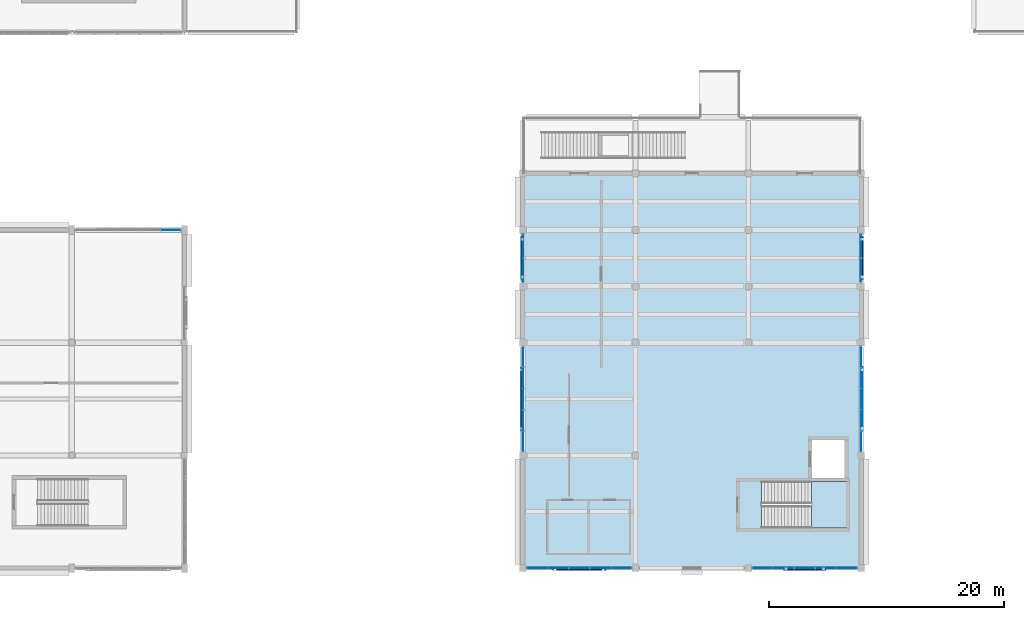
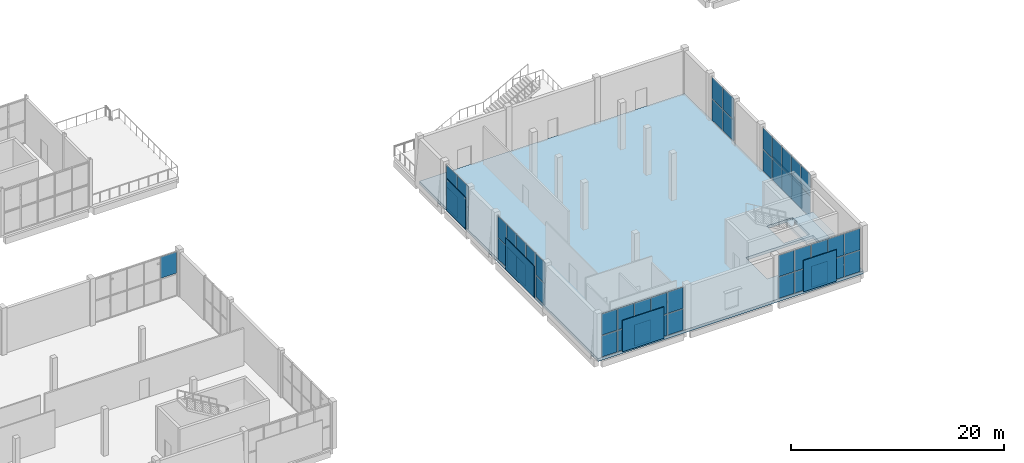
# One storey, part 45 of 83: 55 plates, 2 slabs, 8 elements without a shape of their own.
"""IFC4 building model written with IfcOpenShell, lengths in metres."""

from ifc_helpers import new_model, si_unit, direction, frame, origin, origin_2d, place, context, subcontext, project, spatial, polyline, rectangle, outline, extrude, material, layer, layer_set, type_object, element, aggregate, save


model = new_model("IFC4")

# Units and contexts
model_context = context("Model", 3, precision=1e-05, world=origin(), true_north=direction((0.0, 1.0)))
body_context = subcontext(model_context, "Body", "Model", "MODEL_VIEW")
ifc_project = project(units=[si_unit("LENGTHUNIT", "METRE"), si_unit("AREAUNIT", "SQUARE_METRE"), si_unit("VOLUMEUNIT", "CUBIC_METRE"), si_unit("PLANEANGLEUNIT", "RADIAN"), si_unit("MASSUNIT", "GRAM", prefix="KILO")], contexts=[model_context])

# Site, building, storey
site_placement = place(None, origin())
site = spatial("IfcSite", under=ifc_project, at=site_placement, CompositionType="ELEMENT")
building_placement = place(site_placement, origin())
building = spatial("IfcBuilding", under=site, at=building_placement, Name="Shalvenor Court Art Gallery", CompositionType="ELEMENT")
storey_placement = place(building_placement, frame((0.0, 0.0, 6.0)))
storey = spatial("IfcBuildingStorey", under=building, at=storey_placement, Name="L01", CompositionType="ELEMENT", Elevation=6.0)

# Curtain wall, plate
ifc_material_1 = material(Name="Anodised aluminium and low-iron glass curtain wall", Category="aluminium")
curtain_wall_type_1 = type_object("IfcCurtainWallType", Name="CW-5x2-91-51-641", PredefinedType="USERDEFINED", material=ifc_material_1)
curtain_wall_1_placement = place(storey_placement, origin())
curtain_wall_1 = element("IfcCurtainWall", 1, at=curtain_wall_1_placement, inside=storey, type_object=curtain_wall_type_1, Name="L01 V4 Curtain Wall CW-L01-131", ObjectType="CURTAIN WALL", PredefinedType="USERDEFINED")
ifc_material_2 = material(Name="Low-iron UV-laminated double glazing IGU", Category="glass")
ifc_layer_1 = layer(ifc_material_2, 0.028076171875, Name="Low-iron UV-laminated double glazing IGU")
ifc_layer_set_1 = layer_set([ifc_layer_1], Name="Low-iron UV-laminated double glazing IGU")
plate_type_1 = type_object("IfcPlateType", Name="CWP-01", PredefinedType="CURTAIN_PANEL", material=ifc_layer_set_1)
plate_1_placement = place(storey_placement, frame((66.0263671875, 28.800048828125, 2.574951171875), z_axis=(0.0, 0.0, 1.0), x_axis=(1.0, 0.0, 0.0)))
plate_1 = element("IfcPlate", 2, at=plate_1_placement, type_object=plate_type_1, Name="CW-5x2-91-51-641 panel 5.2", PredefinedType="CURTAIN_PANEL", context=body_context, shape_type="SweptSolid", body=[
    extrude(rectangle(XDim=1.737548828125, YDim=0.028076171875, at=origin_2d()), origin(), (0.0, 0.0, 1.0), 2.43505859375),
])
aggregate(curtain_wall_1, [plate_1])

# Curtain wall, plates
ifc_material_3 = material(Name="Anodised aluminium and low-iron glass curtain wall", Category="aluminium")
curtain_wall_type_2 = type_object("IfcCurtainWallType", Name="CW-2x2-42-51-442", PredefinedType="USERDEFINED", material=ifc_material_3)
curtain_wall_2_placement = place(storey_placement, origin())
curtain_wall_2 = element("IfcCurtainWall", 3, at=curtain_wall_2_placement, inside=storey, type_object=curtain_wall_type_2, Name="L01 V3 Curtain Wall CW-L01-098", ObjectType="CURTAIN WALL", PredefinedType="USERDEFINED")
ifc_material_4 = material(Name="Low-iron triple-silver solar gallery glazing IGU", Category="glass")
ifc_layer_2 = layer(ifc_material_4, 0.031982421875, Name="Low-iron triple-silver solar gallery glazing IGU")
ifc_layer_set_2 = layer_set([ifc_layer_2], Name="Low-iron triple-silver solar gallery glazing IGU")
plate_type_2 = type_object("IfcPlateType", Name="CWP-02", PredefinedType="CURTAIN_PANEL", material=ifc_layer_set_2)
plate_2_placement = place(storey_placement, frame((124.800048828125, 27.43115234375, 0.070068359375), z_axis=(0.0, 0.0, 1.0), x_axis=(0.0, -1.0, 0.0)))
plate_2 = element("IfcPlate", 4, at=plate_2_placement, type_object=plate_type_2, Name="CW-2x2-42-51-442 panel 1.1", PredefinedType="CURTAIN_PANEL", context=body_context, shape_type="SweptSolid", body=[
    extrude(rectangle(XDim=1.987548828125, YDim=0.031982421875, at=origin_2d()), origin(), (0.0, 0.0, 1.0), 2.43505859375),
])
plate_3_placement = place(storey_placement, frame((124.800048828125, 27.43115234375, 2.574951171875), z_axis=(0.0, 0.0, 1.0), x_axis=(0.0, -1.0, 0.0)))
plate_3 = element("IfcPlate", 5, at=plate_3_placement, type_object=plate_type_2, Name="CW-2x2-42-51-442 panel 1.2", PredefinedType="CURTAIN_PANEL", context=body_context, shape_type="SweptSolid", body=[
    extrude(rectangle(XDim=1.987548828125, YDim=0.031982421875, at=origin_2d()), origin(), (0.0, 0.0, 1.0), 2.43505859375),
])
plate_4_placement = place(storey_placement, frame((124.800048828125, 25.36865234375, 0.070068359375), z_axis=(0.0, 0.0, 1.0), x_axis=(0.0, -1.0, 0.0)))
plate_4 = element("IfcPlate", 6, at=plate_4_placement, type_object=plate_type_2, Name="CW-2x2-42-51-442 panel 2.1", PredefinedType="CURTAIN_PANEL", context=body_context, shape_type="SweptSolid", body=[
    extrude(rectangle(XDim=1.987548828125, YDim=0.031982421875, at=origin_2d()), origin(), (0.0, 0.0, 1.0), 2.43505859375),
])
plate_5_placement = place(storey_placement, frame((124.800048828125, 25.36865234375, 2.574951171875), z_axis=(0.0, 0.0, 1.0), x_axis=(0.0, -1.0, 0.0)))
plate_5 = element("IfcPlate", 7, at=plate_5_placement, type_object=plate_type_2, Name="CW-2x2-42-51-442 panel 2.2", PredefinedType="CURTAIN_PANEL", context=body_context, shape_type="SweptSolid", body=[
    extrude(rectangle(XDim=1.987548828125, YDim=0.031982421875, at=origin_2d()), origin(), (0.0, 0.0, 1.0), 2.43505859375),
])
aggregate(curtain_wall_2, [plate_2, plate_3, plate_4, plate_5])

ifc_material_5 = material(Name="Anodised aluminium and low-iron glass curtain wall", Category="aluminium")
curtain_wall_type_3 = type_object("IfcCurtainWallType", Name="CW-5x2-90-51-612", PredefinedType="USERDEFINED", material=ifc_material_5)
curtain_wall_3_placement = place(storey_placement, origin())
curtain_wall_3 = element("IfcCurtainWall", 8, at=curtain_wall_3_placement, inside=storey, type_object=curtain_wall_type_3, Name="L01 V3 Curtain Wall CW-L01-099", ObjectType="CURTAIN WALL", PredefinedType="USERDEFINED")
plate_6_placement = place(storey_placement, frame((124.800048828125, 17.986328125, 0.06005859375), z_axis=(0.0, 0.0, 1.0), x_axis=(0.0, -1.0, 0.0)))
plate_6 = element("IfcPlate", 9, at=plate_6_placement, type_object=plate_type_2, Name="CW-5x2-90-51-612 panel 1.1", PredefinedType="CURTAIN_PANEL", context=body_context, shape_type="SweptSolid", body=[
    extrude(rectangle(XDim=1.717529296875, YDim=0.031982421875, at=origin_2d()), origin(), (0.0, 0.0, 1.0), 2.449951171875),
])
plate_7_placement = place(storey_placement, frame((124.800048828125, 17.986328125, 2.56982421875), z_axis=(0.0, 0.0, 1.0), x_axis=(0.0, -1.0, 0.0)))
plate_7 = element("IfcPlate", 10, at=plate_7_placement, type_object=plate_type_2, Name="CW-5x2-90-51-612 panel 1.2", PredefinedType="CURTAIN_PANEL", context=body_context, shape_type="SweptSolid", body=[
    extrude(rectangle(XDim=1.717529296875, YDim=0.031982421875, at=origin_2d()), origin(), (0.0, 0.0, 1.0), 2.449951171875),
])
plate_8_placement = place(storey_placement, frame((124.800048828125, 16.199951171875, 0.06005859375), z_axis=(0.0, 0.0, 1.0), x_axis=(0.0, -1.0, 0.0)))
plate_8 = element("IfcPlate", 11, at=plate_8_placement, type_object=plate_type_2, Name="CW-5x2-90-51-612 panel 2.1", PredefinedType="CURTAIN_PANEL", context=body_context, shape_type="SweptSolid", body=[
    extrude(rectangle(XDim=1.7451171875, YDim=0.031982421875, at=origin_2d()), origin(), (0.0, 0.0, 1.0), 2.449951171875),
])
plate_9_placement = place(storey_placement, frame((124.800048828125, 16.199951171875, 2.56982421875), z_axis=(0.0, 0.0, 1.0), x_axis=(0.0, -1.0, 0.0)))
plate_9 = element("IfcPlate", 12, at=plate_9_placement, type_object=plate_type_2, Name="CW-5x2-90-51-612 panel 2.2", PredefinedType="CURTAIN_PANEL", context=body_context, shape_type="SweptSolid", body=[
    extrude(rectangle(XDim=1.7451171875, YDim=0.031982421875, at=origin_2d()), origin(), (0.0, 0.0, 1.0), 2.449951171875),
])
plate_10_placement = place(storey_placement, frame((124.800048828125, 14.39990234375, 0.06005859375), z_axis=(0.0, 0.0, 1.0), x_axis=(0.0, -1.0, 0.0)))
plate_10 = element("IfcPlate", 13, at=plate_10_placement, type_object=plate_type_2, Name="CW-5x2-90-51-612 panel 3.1", PredefinedType="CURTAIN_PANEL", context=body_context, shape_type="SweptSolid", body=[
    extrude(rectangle(XDim=1.7451171875, YDim=0.031982421875, at=origin_2d()), origin(), (0.0, 0.0, 1.0), 2.449951171875),
])
plate_11_placement = place(storey_placement, frame((124.800048828125, 14.39990234375, 2.56982421875), z_axis=(0.0, 0.0, 1.0), x_axis=(0.0, -1.0, 0.0)))
plate_11 = element("IfcPlate", 14, at=plate_11_placement, type_object=plate_type_2, Name="CW-5x2-90-51-612 panel 3.2", PredefinedType="CURTAIN_PANEL", context=body_context, shape_type="SweptSolid", body=[
    extrude(rectangle(XDim=1.7451171875, YDim=0.031982421875, at=origin_2d()), origin(), (0.0, 0.0, 1.0), 2.449951171875),
])
plate_12_placement = place(storey_placement, frame((124.800048828125, 12.60009765625, 0.06005859375), z_axis=(0.0, 0.0, 1.0), x_axis=(0.0, -1.0, 0.0)))
plate_12 = element("IfcPlate", 15, at=plate_12_placement, type_object=plate_type_2, Name="CW-5x2-90-51-612 panel 4.1", PredefinedType="CURTAIN_PANEL", context=body_context, shape_type="SweptSolid", body=[
    extrude(rectangle(XDim=1.7451171875, YDim=0.031982421875, at=origin_2d()), origin(), (0.0, 0.0, 1.0), 2.449951171875),
])
plate_13_placement = place(storey_placement, frame((124.800048828125, 12.60009765625, 2.56982421875), z_axis=(0.0, 0.0, 1.0), x_axis=(0.0, -1.0, 0.0)))
plate_13 = element("IfcPlate", 16, at=plate_13_placement, type_object=plate_type_2, Name="CW-5x2-90-51-612 panel 4.2", PredefinedType="CURTAIN_PANEL", context=body_context, shape_type="SweptSolid", body=[
    extrude(rectangle(XDim=1.7451171875, YDim=0.031982421875, at=origin_2d()), origin(), (0.0, 0.0, 1.0), 2.449951171875),
])
plate_14_placement = place(storey_placement, frame((124.800048828125, 10.813720703125, 0.06005859375), z_axis=(0.0, 0.0, 1.0), x_axis=(0.0, -1.0, 0.0)))
plate_14 = element("IfcPlate", 17, at=plate_14_placement, type_object=plate_type_2, Name="CW-5x2-90-51-612 panel 5.1", PredefinedType="CURTAIN_PANEL", context=body_context, shape_type="SweptSolid", body=[
    extrude(rectangle(XDim=1.717529296875, YDim=0.031982421875, at=origin_2d()), origin(), (0.0, 0.0, 1.0), 2.449951171875),
])
plate_15_placement = place(storey_placement, frame((124.800048828125, 10.813720703125, 2.56982421875), z_axis=(0.0, 0.0, 1.0), x_axis=(0.0, -1.0, 0.0)))
plate_15 = element("IfcPlate", 18, at=plate_15_placement, type_object=plate_type_2, Name="CW-5x2-90-51-612 panel 5.2", PredefinedType="CURTAIN_PANEL", context=body_context, shape_type="SweptSolid", body=[
    extrude(rectangle(XDim=1.717529296875, YDim=0.031982421875, at=origin_2d()), origin(), (0.0, 0.0, 1.0), 2.449951171875),
])
aggregate(curtain_wall_3, [plate_6, plate_7, plate_8, plate_9, plate_10, plate_11, plate_12, plate_13, plate_14, plate_15])

ifc_material_6 = material(Name="Anodised aluminium and low-iron glass curtain wall", Category="aluminium")
curtain_wall_type_4 = type_object("IfcCurtainWallType", Name="CW-5x2-90-51-122", PredefinedType="USERDEFINED", material=ifc_material_6)
curtain_wall_4_placement = place(storey_placement, origin())
curtain_wall_4 = element("IfcCurtainWall", 19, at=curtain_wall_4_placement, inside=storey, type_object=curtain_wall_type_4, Name="L01 V3 Curtain Wall CW-L01-100", ObjectType="CURTAIN WALL", PredefinedType="USERDEFINED")
plate_16_placement = place(storey_placement, frame((123.583740234375, 0.0, 0.06494140625), z_axis=(0.0, 0.0, 1.0), x_axis=(-1.0, 0.0, 0.0)))
plate_16 = element("IfcPlate", 20, at=plate_16_placement, type_object=plate_type_2, Name="CW-5x2-90-51-122 panel 1.1", PredefinedType="CURTAIN_PANEL", context=body_context, shape_type="SweptSolid", body=[
    extrude(rectangle(XDim=1.702392578125, YDim=0.031982421875, at=origin_2d()), origin(), (0.0, 0.0, 1.0), 2.4423828125),
])
plate_17_placement = place(storey_placement, frame((123.583740234375, 0.0, 2.572509765625), z_axis=(0.0, 0.0, 1.0), x_axis=(-1.0, 0.0, 0.0)))
plate_17 = element("IfcPlate", 21, at=plate_17_placement, type_object=plate_type_2, Name="CW-5x2-90-51-122 panel 1.2", PredefinedType="CURTAIN_PANEL", context=body_context, shape_type="SweptSolid", body=[
    extrude(rectangle(XDim=1.702392578125, YDim=0.031982421875, at=origin_2d()), origin(), (0.0, 0.0, 1.0), 2.4423828125),
])
plate_18_placement = place(storey_placement, frame((121.800048828125, 0.0, 0.06494140625), z_axis=(0.0, 0.0, 1.0), x_axis=(-1.0, 0.0, 0.0)))
plate_18 = element("IfcPlate", 22, at=plate_18_placement, type_object=plate_type_2, Name="CW-5x2-90-51-122 panel 2.1", PredefinedType="CURTAIN_PANEL", context=body_context, shape_type="SweptSolid", body=[
    extrude(rectangle(XDim=1.735107421875, YDim=0.031982421875, at=origin_2d()), origin(), (0.0, 0.0, 1.0), 2.4423828125),
])
plate_19_placement = place(storey_placement, frame((121.800048828125, 0.0, 2.572509765625), z_axis=(0.0, 0.0, 1.0), x_axis=(-1.0, 0.0, 0.0)))
plate_19 = element("IfcPlate", 23, at=plate_19_placement, type_object=plate_type_2, Name="CW-5x2-90-51-122 panel 2.2", PredefinedType="CURTAIN_PANEL", context=body_context, shape_type="SweptSolid", body=[
    extrude(rectangle(XDim=1.735107421875, YDim=0.031982421875, at=origin_2d()), origin(), (0.0, 0.0, 1.0), 2.4423828125),
])
plate_20_placement = place(storey_placement, frame((120.0, 0.0, 0.06494140625), z_axis=(0.0, 0.0, 1.0), x_axis=(-1.0, 0.0, 0.0)))
plate_20 = element("IfcPlate", 24, at=plate_20_placement, type_object=plate_type_2, Name="CW-5x2-90-51-122 panel 3.1", PredefinedType="CURTAIN_PANEL", context=body_context, shape_type="SweptSolid", body=[
    extrude(rectangle(XDim=1.735107421875, YDim=0.031982421875, at=origin_2d()), origin(), (0.0, 0.0, 1.0), 2.4423828125),
])
plate_21_placement = place(storey_placement, frame((120.0, 0.0, 2.572509765625), z_axis=(0.0, 0.0, 1.0), x_axis=(-1.0, 0.0, 0.0)))
plate_21 = element("IfcPlate", 25, at=plate_21_placement, type_object=plate_type_2, Name="CW-5x2-90-51-122 panel 3.2", PredefinedType="CURTAIN_PANEL", context=body_context, shape_type="SweptSolid", body=[
    extrude(rectangle(XDim=1.735107421875, YDim=0.031982421875, at=origin_2d()), origin(), (0.0, 0.0, 1.0), 2.4423828125),
])
plate_22_placement = place(storey_placement, frame((118.199951171875, 0.0, 0.06494140625), z_axis=(0.0, 0.0, 1.0), x_axis=(-1.0, 0.0, 0.0)))
plate_22 = element("IfcPlate", 26, at=plate_22_placement, type_object=plate_type_2, Name="CW-5x2-90-51-122 panel 4.1", PredefinedType="CURTAIN_PANEL", context=body_context, shape_type="SweptSolid", body=[
    extrude(rectangle(XDim=1.735107421875, YDim=0.031982421875, at=origin_2d()), origin(), (0.0, 0.0, 1.0), 2.4423828125),
])
plate_23_placement = place(storey_placement, frame((118.199951171875, 0.0, 2.572509765625), z_axis=(0.0, 0.0, 1.0), x_axis=(-1.0, 0.0, 0.0)))
plate_23 = element("IfcPlate", 27, at=plate_23_placement, type_object=plate_type_2, Name="CW-5x2-90-51-122 panel 4.2", PredefinedType="CURTAIN_PANEL", context=body_context, shape_type="SweptSolid", body=[
    extrude(rectangle(XDim=1.735107421875, YDim=0.031982421875, at=origin_2d()), origin(), (0.0, 0.0, 1.0), 2.4423828125),
])
plate_24_placement = place(storey_placement, frame((116.416259765625, 0.0, 0.06494140625), z_axis=(0.0, 0.0, 1.0), x_axis=(-1.0, 0.0, 0.0)))
plate_24 = element("IfcPlate", 28, at=plate_24_placement, type_object=plate_type_2, Name="CW-5x2-90-51-122 panel 5.1", PredefinedType="CURTAIN_PANEL", context=body_context, shape_type="SweptSolid", body=[
    extrude(rectangle(XDim=1.702392578125, YDim=0.031982421875, at=origin_2d()), origin(), (0.0, 0.0, 1.0), 2.4423828125),
])
plate_25_placement = place(storey_placement, frame((116.416259765625, 0.0, 2.572509765625), z_axis=(0.0, 0.0, 1.0), x_axis=(-1.0, 0.0, 0.0)))
plate_25 = element("IfcPlate", 29, at=plate_25_placement, type_object=plate_type_2, Name="CW-5x2-90-51-122 panel 5.2", PredefinedType="CURTAIN_PANEL", context=body_context, shape_type="SweptSolid", body=[
    extrude(rectangle(XDim=1.702392578125, YDim=0.031982421875, at=origin_2d()), origin(), (0.0, 0.0, 1.0), 2.4423828125),
])
aggregate(curtain_wall_4, [plate_16, plate_17, plate_18, plate_19, plate_20, plate_21, plate_22, plate_23, plate_24, plate_25])

ifc_material_7 = material(Name="Anodised aluminium and low-iron glass curtain wall", Category="aluminium")
curtain_wall_type_5 = type_object("IfcCurtainWallType", Name="CW-5x2-90-51-242", PredefinedType="USERDEFINED", material=ifc_material_7)
curtain_wall_5_placement = place(storey_placement, origin())
curtain_wall_5 = element("IfcCurtainWall", 30, at=curtain_wall_5_placement, inside=storey, type_object=curtain_wall_type_5, Name="L01 V3 Curtain Wall CW-L01-101", ObjectType="CURTAIN WALL", PredefinedType="USERDEFINED")
plate_26_placement = place(storey_placement, frame((104.382568359375, 0.0, 0.070068359375), z_axis=(0.0, 0.0, 1.0), x_axis=(-1.0, 0.0, 0.0)))
plate_26 = element("IfcPlate", 31, at=plate_26_placement, type_object=plate_type_2, Name="CW-5x2-90-51-242 panel 1.1", PredefinedType="CURTAIN_PANEL", context=body_context, shape_type="SweptSolid", body=[
    extrude(rectangle(XDim=1.695068359375, YDim=0.031982421875, at=origin_2d()), origin(), (0.0, 0.0, 1.0), 2.43505859375),
])
plate_27_placement = place(storey_placement, frame((104.382568359375, 0.0, 2.574951171875), z_axis=(0.0, 0.0, 1.0), x_axis=(-1.0, 0.0, 0.0)))
plate_27 = element("IfcPlate", 32, at=plate_27_placement, type_object=plate_type_2, Name="CW-5x2-90-51-242 panel 1.2", PredefinedType="CURTAIN_PANEL", context=body_context, shape_type="SweptSolid", body=[
    extrude(rectangle(XDim=1.695068359375, YDim=0.031982421875, at=origin_2d()), origin(), (0.0, 0.0, 1.0), 2.43505859375),
])
plate_28_placement = place(storey_placement, frame((102.60009765625, 0.0, 0.070068359375), z_axis=(0.0, 0.0, 1.0), x_axis=(-1.0, 0.0, 0.0)))
plate_28 = element("IfcPlate", 33, at=plate_28_placement, type_object=plate_type_2, Name="CW-5x2-90-51-242 panel 2.1", PredefinedType="CURTAIN_PANEL", context=body_context, shape_type="SweptSolid", body=[
    extrude(rectangle(XDim=1.72998046875, YDim=0.031982421875, at=origin_2d()), origin(), (0.0, 0.0, 1.0), 2.43505859375),
])
plate_29_placement = place(storey_placement, frame((102.60009765625, 0.0, 2.574951171875), z_axis=(0.0, 0.0, 1.0), x_axis=(-1.0, 0.0, 0.0)))
plate_29 = element("IfcPlate", 34, at=plate_29_placement, type_object=plate_type_2, Name="CW-5x2-90-51-242 panel 2.2", PredefinedType="CURTAIN_PANEL", context=body_context, shape_type="SweptSolid", body=[
    extrude(rectangle(XDim=1.72998046875, YDim=0.031982421875, at=origin_2d()), origin(), (0.0, 0.0, 1.0), 2.43505859375),
])
plate_30_placement = place(storey_placement, frame((100.800048828125, 0.0, 0.070068359375), z_axis=(0.0, 0.0, 1.0), x_axis=(-1.0, 0.0, 0.0)))
plate_30 = element("IfcPlate", 35, at=plate_30_placement, type_object=plate_type_2, Name="CW-5x2-90-51-242 panel 3.1", PredefinedType="CURTAIN_PANEL", context=body_context, shape_type="SweptSolid", body=[
    extrude(rectangle(XDim=1.72998046875, YDim=0.031982421875, at=origin_2d()), origin(), (0.0, 0.0, 1.0), 2.43505859375),
])
plate_31_placement = place(storey_placement, frame((100.800048828125, 0.0, 2.574951171875), z_axis=(0.0, 0.0, 1.0), x_axis=(-1.0, 0.0, 0.0)))
plate_31 = element("IfcPlate", 36, at=plate_31_placement, type_object=plate_type_2, Name="CW-5x2-90-51-242 panel 3.2", PredefinedType="CURTAIN_PANEL", context=body_context, shape_type="SweptSolid", body=[
    extrude(rectangle(XDim=1.72998046875, YDim=0.031982421875, at=origin_2d()), origin(), (0.0, 0.0, 1.0), 2.43505859375),
])
plate_32_placement = place(storey_placement, frame((99.0, 0.0, 0.070068359375), z_axis=(0.0, 0.0, 1.0), x_axis=(-1.0, 0.0, 0.0)))
plate_32 = element("IfcPlate", 37, at=plate_32_placement, type_object=plate_type_2, Name="CW-5x2-90-51-242 panel 4.1", PredefinedType="CURTAIN_PANEL", context=body_context, shape_type="SweptSolid", body=[
    extrude(rectangle(XDim=1.72998046875, YDim=0.031982421875, at=origin_2d()), origin(), (0.0, 0.0, 1.0), 2.43505859375),
])
plate_33_placement = place(storey_placement, frame((99.0, 0.0, 2.574951171875), z_axis=(0.0, 0.0, 1.0), x_axis=(-1.0, 0.0, 0.0)))
plate_33 = element("IfcPlate", 38, at=plate_33_placement, type_object=plate_type_2, Name="CW-5x2-90-51-242 panel 4.2", PredefinedType="CURTAIN_PANEL", context=body_context, shape_type="SweptSolid", body=[
    extrude(rectangle(XDim=1.72998046875, YDim=0.031982421875, at=origin_2d()), origin(), (0.0, 0.0, 1.0), 2.43505859375),
])
plate_34_placement = place(storey_placement, frame((97.217529296875, 0.0, 0.070068359375), z_axis=(0.0, 0.0, 1.0), x_axis=(-1.0, 0.0, 0.0)))
plate_34 = element("IfcPlate", 39, at=plate_34_placement, type_object=plate_type_2, Name="CW-5x2-90-51-242 panel 5.1", PredefinedType="CURTAIN_PANEL", context=body_context, shape_type="SweptSolid", body=[
    extrude(rectangle(XDim=1.695068359375, YDim=0.031982421875, at=origin_2d()), origin(), (0.0, 0.0, 1.0), 2.43505859375),
])
plate_35_placement = place(storey_placement, frame((97.217529296875, 0.0, 2.574951171875), z_axis=(0.0, 0.0, 1.0), x_axis=(-1.0, 0.0, 0.0)))
plate_35 = element("IfcPlate", 40, at=plate_35_placement, type_object=plate_type_2, Name="CW-5x2-90-51-242 panel 5.2", PredefinedType="CURTAIN_PANEL", context=body_context, shape_type="SweptSolid", body=[
    extrude(rectangle(XDim=1.695068359375, YDim=0.031982421875, at=origin_2d()), origin(), (0.0, 0.0, 1.0), 2.43505859375),
])
aggregate(curtain_wall_5, [plate_26, plate_27, plate_28, plate_29, plate_30, plate_31, plate_32, plate_33, plate_34, plate_35])

ifc_material_8 = material(Name="Anodised aluminium and low-iron glass curtain wall", Category="aluminium")
curtain_wall_type_6 = type_object("IfcCurtainWallType", Name="CW-5x2-90-51-412", PredefinedType="USERDEFINED", material=ifc_material_8)
curtain_wall_6_placement = place(storey_placement, origin())
curtain_wall_6 = element("IfcCurtainWall", 41, at=curtain_wall_6_placement, inside=storey, type_object=curtain_wall_type_6, Name="L01 V3 Curtain Wall CW-L01-102", ObjectType="CURTAIN WALL", PredefinedType="USERDEFINED")
plate_36_placement = place(storey_placement, frame((96.0, 10.81884765625, 0.06005859375), z_axis=(0.0, 0.0, 1.0), x_axis=(0.0, 1.0, 0.0)))
plate_36 = element("IfcPlate", 42, at=plate_36_placement, type_object=plate_type_2, Name="CW-5x2-90-51-412 panel 1.1", PredefinedType="CURTAIN_PANEL", context=body_context, shape_type="SweptSolid", body=[
    extrude(rectangle(XDim=1.6875, YDim=0.031982421875, at=origin_2d()), origin(), (0.0, 0.0, 1.0), 2.449951171875),
])
plate_37_placement = place(storey_placement, frame((96.0, 10.81884765625, 2.56982421875), z_axis=(0.0, 0.0, 1.0), x_axis=(0.0, 1.0, 0.0)))
plate_37 = element("IfcPlate", 43, at=plate_37_placement, type_object=plate_type_2, Name="CW-5x2-90-51-412 panel 1.2", PredefinedType="CURTAIN_PANEL", context=body_context, shape_type="SweptSolid", body=[
    extrude(rectangle(XDim=1.6875, YDim=0.031982421875, at=origin_2d()), origin(), (0.0, 0.0, 1.0), 2.449951171875),
])
plate_38_placement = place(storey_placement, frame((96.0, 12.60009765625, 0.06005859375), z_axis=(0.0, 0.0, 1.0), x_axis=(0.0, 1.0, 0.0)))
plate_38 = element("IfcPlate", 44, at=plate_38_placement, type_object=plate_type_2, Name="CW-5x2-90-51-412 panel 2.1", PredefinedType="CURTAIN_PANEL", context=body_context, shape_type="SweptSolid", body=[
    extrude(rectangle(XDim=1.72509765625, YDim=0.031982421875, at=origin_2d()), origin(), (0.0, 0.0, 1.0), 2.449951171875),
])
plate_39_placement = place(storey_placement, frame((96.0, 12.60009765625, 2.56982421875), z_axis=(0.0, 0.0, 1.0), x_axis=(0.0, 1.0, 0.0)))
plate_39 = element("IfcPlate", 45, at=plate_39_placement, type_object=plate_type_2, Name="CW-5x2-90-51-412 panel 2.2", PredefinedType="CURTAIN_PANEL", context=body_context, shape_type="SweptSolid", body=[
    extrude(rectangle(XDim=1.72509765625, YDim=0.031982421875, at=origin_2d()), origin(), (0.0, 0.0, 1.0), 2.449951171875),
])
plate_40_placement = place(storey_placement, frame((96.0, 14.39990234375, 0.06005859375), z_axis=(0.0, 0.0, 1.0), x_axis=(0.0, 1.0, 0.0)))
plate_40 = element("IfcPlate", 46, at=plate_40_placement, type_object=plate_type_2, Name="CW-5x2-90-51-412 panel 3.1", PredefinedType="CURTAIN_PANEL", context=body_context, shape_type="SweptSolid", body=[
    extrude(rectangle(XDim=1.72509765625, YDim=0.031982421875, at=origin_2d()), origin(), (0.0, 0.0, 1.0), 2.449951171875),
])
plate_41_placement = place(storey_placement, frame((96.0, 14.39990234375, 2.56982421875), z_axis=(0.0, 0.0, 1.0), x_axis=(0.0, 1.0, 0.0)))
plate_41 = element("IfcPlate", 47, at=plate_41_placement, type_object=plate_type_2, Name="CW-5x2-90-51-412 panel 3.2", PredefinedType="CURTAIN_PANEL", context=body_context, shape_type="SweptSolid", body=[
    extrude(rectangle(XDim=1.72509765625, YDim=0.031982421875, at=origin_2d()), origin(), (0.0, 0.0, 1.0), 2.449951171875),
])
plate_42_placement = place(storey_placement, frame((96.0, 16.199951171875, 0.06005859375), z_axis=(0.0, 0.0, 1.0), x_axis=(0.0, 1.0, 0.0)))
plate_42 = element("IfcPlate", 48, at=plate_42_placement, type_object=plate_type_2, Name="CW-5x2-90-51-412 panel 4.1", PredefinedType="CURTAIN_PANEL", context=body_context, shape_type="SweptSolid", body=[
    extrude(rectangle(XDim=1.72509765625, YDim=0.031982421875, at=origin_2d()), origin(), (0.0, 0.0, 1.0), 2.449951171875),
])
plate_43_placement = place(storey_placement, frame((96.0, 16.199951171875, 2.56982421875), z_axis=(0.0, 0.0, 1.0), x_axis=(0.0, 1.0, 0.0)))
plate_43 = element("IfcPlate", 49, at=plate_43_placement, type_object=plate_type_2, Name="CW-5x2-90-51-412 panel 4.2", PredefinedType="CURTAIN_PANEL", context=body_context, shape_type="SweptSolid", body=[
    extrude(rectangle(XDim=1.72509765625, YDim=0.031982421875, at=origin_2d()), origin(), (0.0, 0.0, 1.0), 2.449951171875),
])
plate_44_placement = place(storey_placement, frame((96.0, 17.981201171875, 0.06005859375), z_axis=(0.0, 0.0, 1.0), x_axis=(0.0, 1.0, 0.0)))
plate_44 = element("IfcPlate", 50, at=plate_44_placement, type_object=plate_type_2, Name="CW-5x2-90-51-412 panel 5.1", PredefinedType="CURTAIN_PANEL", context=body_context, shape_type="SweptSolid", body=[
    extrude(rectangle(XDim=1.6875, YDim=0.031982421875, at=origin_2d()), origin(), (0.0, 0.0, 1.0), 2.449951171875),
])
plate_45_placement = place(storey_placement, frame((96.0, 17.981201171875, 2.56982421875), z_axis=(0.0, 0.0, 1.0), x_axis=(0.0, 1.0, 0.0)))
plate_45 = element("IfcPlate", 51, at=plate_45_placement, type_object=plate_type_2, Name="CW-5x2-90-51-412 panel 5.2", PredefinedType="CURTAIN_PANEL", context=body_context, shape_type="SweptSolid", body=[
    extrude(rectangle(XDim=1.6875, YDim=0.031982421875, at=origin_2d()), origin(), (0.0, 0.0, 1.0), 2.449951171875),
])
aggregate(curtain_wall_6, [plate_36, plate_37, plate_38, plate_39, plate_40, plate_41, plate_42, plate_43, plate_44, plate_45])

ifc_material_9 = material(Name="Anodised aluminium and low-iron glass curtain wall", Category="aluminium")
curtain_wall_type_7 = type_object("IfcCurtainWallType", Name="CW-2x2-42-51-622", PredefinedType="USERDEFINED", material=ifc_material_9)
curtain_wall_7_placement = place(storey_placement, origin())
curtain_wall_7 = element("IfcCurtainWall", 52, at=curtain_wall_7_placement, inside=storey, type_object=curtain_wall_type_7, Name="L01 V3 Curtain Wall CW-L01-103", ObjectType="CURTAIN WALL", PredefinedType="USERDEFINED")
plate_46_placement = place(storey_placement, frame((96.0, 25.36376953125, 0.06494140625), z_axis=(0.0, 0.0, 1.0), x_axis=(0.0, 1.0, 0.0)))
plate_46 = element("IfcPlate", 53, at=plate_46_placement, type_object=plate_type_2, Name="CW-2x2-42-51-622 panel 1.1", PredefinedType="CURTAIN_PANEL", context=body_context, shape_type="SweptSolid", body=[
    extrude(rectangle(XDim=2.017578125, YDim=0.031982421875, at=origin_2d()), origin(), (0.0, 0.0, 1.0), 2.4423828125),
])
plate_47_placement = place(storey_placement, frame((96.0, 25.36376953125, 2.572509765625), z_axis=(0.0, 0.0, 1.0), x_axis=(0.0, 1.0, 0.0)))
plate_47 = element("IfcPlate", 54, at=plate_47_placement, type_object=plate_type_2, Name="CW-2x2-42-51-622 panel 1.2", PredefinedType="CURTAIN_PANEL", context=body_context, shape_type="SweptSolid", body=[
    extrude(rectangle(XDim=2.017578125, YDim=0.031982421875, at=origin_2d()), origin(), (0.0, 0.0, 1.0), 2.4423828125),
])
plate_48_placement = place(storey_placement, frame((96.0, 27.436279296875, 0.06494140625), z_axis=(0.0, 0.0, 1.0), x_axis=(0.0, 1.0, 0.0)))
plate_48 = element("IfcPlate", 55, at=plate_48_placement, type_object=plate_type_2, Name="CW-2x2-42-51-622 panel 2.1", PredefinedType="CURTAIN_PANEL", context=body_context, shape_type="SweptSolid", body=[
    extrude(rectangle(XDim=2.017578125, YDim=0.031982421875, at=origin_2d()), origin(), (0.0, 0.0, 1.0), 2.4423828125),
])
plate_49_placement = place(storey_placement, frame((96.0, 27.436279296875, 2.572509765625), z_axis=(0.0, 0.0, 1.0), x_axis=(0.0, 1.0, 0.0)))
plate_49 = element("IfcPlate", 56, at=plate_49_placement, type_object=plate_type_2, Name="CW-2x2-42-51-622 panel 2.2", PredefinedType="CURTAIN_PANEL", context=body_context, shape_type="SweptSolid", body=[
    extrude(rectangle(XDim=2.017578125, YDim=0.031982421875, at=origin_2d()), origin(), (0.0, 0.0, 1.0), 2.4423828125),
])
aggregate(curtain_wall_7, [plate_46, plate_47, plate_48, plate_49])

# Slab
ifc_material_10 = material(Name="Concrete C40/50", Category="concrete")
ifc_layer_3 = layer(ifc_material_10, 0.320068359375, Name="Concrete C40/50")
ifc_layer_set_3 = layer_set([ifc_layer_3], Name="Concrete C40/50")
slab_type_1 = type_object("IfcSlabType", Name="FS-320", PredefinedType="FLOOR", material=ifc_layer_set_3)
slab_1_placement = place(storey_placement, frame((0.0, 0.0, -0.320068359375)))
element("IfcSlab", 57, at=slab_1_placement, inside=storey, type_object=slab_type_1, Name="L01 V3 Floor Slab 1", PredefinedType="FLOOR", context=body_context, shape_type="SweptSolid", body=[
    extrude(outline(polyline([(124.800048828125, 33.60009765625), (124.800048828125, 0.0), (96.0, 0.0), (96.0, 33.60009765625), (124.800048828125, 33.60009765625)]), holes=[polyline([(116.31103515625, 3.39990234375), (123.60009765625, 3.39990234375), (123.60009765625, 7.39990234375), (116.31103515625, 7.39990234375), (116.31103515625, 3.39990234375)]), polyline([(120.60009765625, 10.89990234375), (120.60009765625, 7.672119140625), (123.39990234375, 7.672119140625), (123.39990234375, 10.89990234375), (120.60009765625, 10.89990234375)])]), origin(), (0.0, 0.0, 1.0), 0.320068359375),
])

# Plates
ifc_material_11 = material(Name="Perforated pale limestone GRC lattice", Category="masonry")
ifc_layer_4 = layer(ifc_material_11, 0.090087890625, Name="Perforated pale limestone GRC lattice")
ifc_layer_set_4 = layer_set([ifc_layer_4], Name="Perforated pale limestone GRC lattice")
plate_type_3 = type_object("IfcPlateType", Name="SCR-01", PredefinedType="USERDEFINED", material=ifc_layer_set_4)
for number, where, z_axis, x_axis, name in (
    (58, (120.0, -0.133056640625, 0.0), (0.0, 0.0, 1.0), (-1.0, 0.0, 0.0), "L01 V3 Perforated Stone Lattice Screen PLT-SCR-0085"),
    (59, (95.886962890625, 26.39990234375, 0.0), (0.0, 0.0, 1.0), (0.0, 1.0, 0.0), "L01 V3 Perforated Stone Lattice Screen PLT-SCR-0088"),
):
    element("IfcPlate", number, at=place(storey_placement, frame(where, z_axis=z_axis, x_axis=x_axis)), inside=storey, type_object=plate_type_3, Name=name, ObjectType="SCREEN", PredefinedType="USERDEFINED", context=body_context, shape_type="SweptSolid", body=[
        extrude(rectangle(XDim=3.60009765625, YDim=0.090087890625, at=origin_2d()), origin(), (0.0, 0.0, 1.0), 3.60009765625),
    ])
ifc_material_12 = material(Name="Perforated pale limestone GRC lattice", Category="masonry")
ifc_layer_5 = layer(ifc_material_12, 0.090087890625, Name="Perforated pale limestone GRC lattice")
ifc_layer_set_5 = layer_set([ifc_layer_5], Name="Perforated pale limestone GRC lattice")
plate_type_4 = type_object("IfcPlateType", Name="SCR-02", PredefinedType="USERDEFINED", material=ifc_layer_set_5)
plate_50_placement = place(storey_placement, frame((100.800048828125, -0.14306640625, 0.0), z_axis=(0.0, 0.0, 1.0), x_axis=(-1.0, 0.0, 0.0)))
element("IfcPlate", 60, at=plate_50_placement, inside=storey, type_object=plate_type_4, Name="L01 V3 Perforated Stone Lattice Screen PLT-SCR-0086", ObjectType="SCREEN", PredefinedType="USERDEFINED", context=body_context, shape_type="SweptSolid", body=[
    extrude(rectangle(XDim=4.5, YDim=0.090087890625, at=origin_2d()), origin(), (0.0, 0.0, 1.0), 3.60009765625),
])
ifc_material_13 = material(Name="Perforated pale limestone GRC lattice", Category="masonry")
ifc_layer_6 = layer(ifc_material_13, 0.090087890625, Name="Perforated pale limestone GRC lattice")
ifc_layer_set_6 = layer_set([ifc_layer_6], Name="Perforated pale limestone GRC lattice")
plate_type_5 = type_object("IfcPlateType", Name="SCR-03", PredefinedType="USERDEFINED", material=ifc_layer_set_6)
plate_51_placement = place(storey_placement, frame((95.846923828125, 14.39990234375, 0.0), z_axis=(0.0, 0.0, 1.0), x_axis=(0.0, 1.0, 0.0)))
element("IfcPlate", 61, at=plate_51_placement, inside=storey, type_object=plate_type_5, Name="L01 V3 Perforated Stone Lattice Screen PLT-SCR-0087", ObjectType="SCREEN", PredefinedType="USERDEFINED", context=body_context, shape_type="SweptSolid", body=[
    extrude(rectangle(XDim=5.39990234375, YDim=0.090087890625, at=origin_2d()), origin(), (0.0, 0.0, 1.0), 3.60009765625),
])
ifc_material_14 = material(Name="Perforated pale limestone GRC lattice", Category="masonry")
ifc_layer_7 = layer(ifc_material_14, 0.090087890625, Name="Perforated pale limestone GRC lattice")
ifc_layer_set_7 = layer_set([ifc_layer_7], Name="Perforated pale limestone GRC lattice")
plate_type_6 = type_object("IfcPlateType", Name="SCR-10", PredefinedType="USERDEFINED", material=ifc_layer_set_7)
plate_52_placement = place(storey_placement, frame((124.952880859375, 26.39990234375, 0.0), z_axis=(0.0, 0.0, 1.0), x_axis=(0.0, -1.0, 0.0)))
element("IfcPlate", 62, at=plate_52_placement, inside=storey, type_object=plate_type_6, Name="L01 V3 Perforated Stone Lattice Screen PLT-SCR-0083", ObjectType="SCREEN", PredefinedType="USERDEFINED", context=body_context, shape_type="SweptSolid", body=[
    extrude(rectangle(XDim=3.60009765625, YDim=0.090087890625, at=origin_2d()), origin(), (0.0, 0.0, 1.0), 2.699951171875),
])
ifc_material_15 = material(Name="Perforated pale limestone GRC lattice", Category="masonry")
ifc_layer_8 = layer(ifc_material_15, 0.0849609375, Name="Perforated pale limestone GRC lattice")
ifc_layer_set_8 = layer_set([ifc_layer_8], Name="Perforated pale limestone GRC lattice")
plate_type_7 = type_object("IfcPlateType", Name="SCR-14", PredefinedType="USERDEFINED", material=ifc_layer_set_8)
plate_53_placement = place(storey_placement, frame((124.910400390625, 14.39990234375, 0.0), z_axis=(0.0, 0.0, 1.0), x_axis=(0.0, -1.0, 0.0)))
element("IfcPlate", 63, at=plate_53_placement, inside=storey, type_object=plate_type_7, Name="L01 V3 Perforated Stone Lattice Screen PLT-SCR-0084", ObjectType="SCREEN", PredefinedType="USERDEFINED", context=body_context, shape_type="SweptSolid", body=[
    extrude(rectangle(XDim=5.39990234375, YDim=0.0849609375, at=origin_2d()), origin(), (0.0, 0.0, 1.0), 2.699951171875),
])

# Stair, slab
ifc_material_16 = material(Name="Concrete C40/50", Category="concrete")
stair_type = type_object("IfcStairType", Name="ST-DL-32R-1900", PredefinedType="HALF_TURN_STAIR", material=ifc_material_16)
stair_placement = place(storey_placement, origin())
stair = element("IfcStair", 64, at=stair_placement, inside=storey, type_object=stair_type, Name="L01 Core Dogleg Stair ST-04", PredefinedType="HALF_TURN_STAIR")
ifc_material_17 = material(Name="Concrete C40/50", Category="concrete")
ifc_layer_9 = layer(ifc_material_17, 0.300048828125, Name="Concrete C40/50")
ifc_layer_set_9 = layer_set([ifc_layer_9], Name="Concrete C40/50")
slab_type_2 = type_object("IfcSlabType", Name="SLD-300", PredefinedType="LANDING", material=ifc_layer_set_9)
slab_2_placement = place(storey_placement, frame((0.0, 0.0, 2.39990234375)))
slab_2 = element("IfcSlab", 65, at=slab_2_placement, type_object=slab_type_2, Name="ST-DL-32R-1900 landing 1", PredefinedType="LANDING", context=body_context, shape_type="SweptSolid", body=[
    extrude(outline(polyline([(120.574951171875, 3.39990234375), (123.60009765625, 3.39990234375), (123.60009765625, 7.39990234375), (120.574951171875, 7.39990234375), (120.574951171875, 3.39990234375)])), origin(), (0.0, 0.0, 1.0), 0.300048828125),
])
aggregate(stair, [slab_2])

save(model, "model.ifc")
